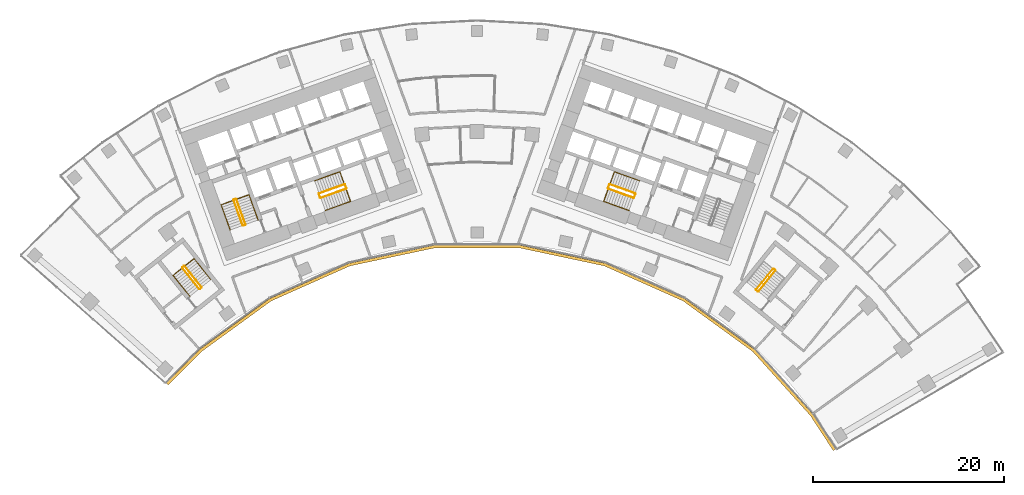
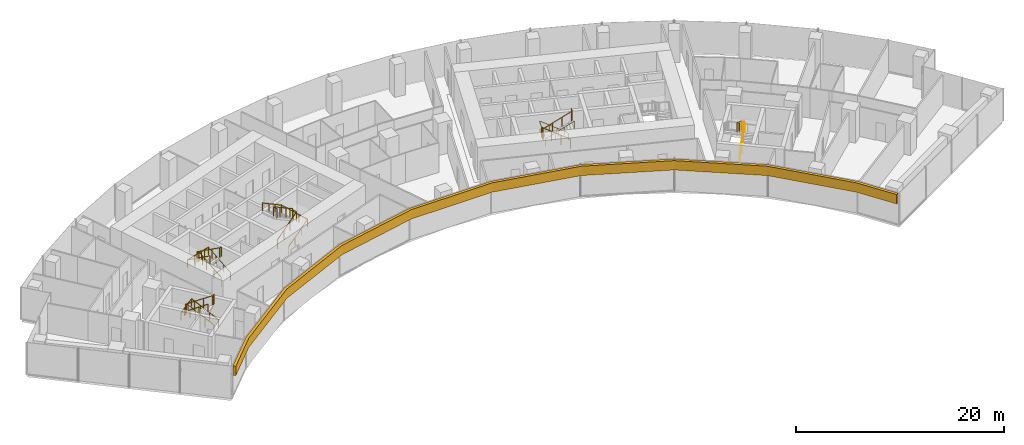
# One storey, part 20 of 21: 14 railings, 1 covering.
"""IFC4 building model written with IfcOpenShell, lengths in metres."""

from ifc_helpers import new_model, si_unit, direction, frame, origin, origin_2d, place, context, subcontext, project, spatial, polyline, circle, outline, extrude, material, layer, layer_set, type_object, element, save


model = new_model("IFC4")

# Units and contexts
model_context = context("Model", 3, precision=1e-05, world=origin(), true_north=direction((0.0, 1.0)))
body_context = subcontext(model_context, "Body", "Model", "MODEL_VIEW")
ifc_project = project(units=[si_unit("LENGTHUNIT", "METRE"), si_unit("AREAUNIT", "SQUARE_METRE"), si_unit("VOLUMEUNIT", "CUBIC_METRE"), si_unit("PLANEANGLEUNIT", "RADIAN"), si_unit("MASSUNIT", "GRAM", prefix="KILO")], contexts=[model_context])

# Site, building, storey
site_placement = place(None, origin())
site = spatial("IfcSite", under=ifc_project, at=site_placement, CompositionType="ELEMENT")
building_placement = place(site_placement, origin())
building = spatial("IfcBuilding", under=site, at=building_placement, Name="Stone Belt Terrace Tower", CompositionType="ELEMENT")
storey_placement = place(building_placement, frame((0.0, 0.0, 117.39990234375)))
storey = spatial("IfcBuildingStorey", under=building, at=storey_placement, Name="L28", CompositionType="ELEMENT", Elevation=117.39990234375)

# Railings
ifc_material_1 = material(Name="Structural steel C345", Category="steel")
railing_type_1 = type_object("IfcRailingType", Name="Stair guard 1100", PredefinedType="GUARDRAIL", material=ifc_material_1)
railing_1_placement = place(storey_placement, frame((-24.2119140625, 45.276123046875, 0.1728515625)))
element("IfcRailing", 1, at=railing_1_placement, inside=storey, type_object=railing_type_1, Name="L28 ST1A stair guard 1", PredefinedType="GUARDRAIL", context=body_context, shape_type="SweptSolid", body=[
    extrude(circle(Radius=0.02392578125, at=origin_2d()), frame((0.0, 0.0, 1.076171875), z_axis=(-0.288228637646, 0.800791768495, 0.525030280985), x_axis=(-0.940908529223, -0.338660803216, 0.0)), (0.0, 0.0, 1.0), 3.289794921875),
    extrude(circle(Radius=0.02392578125, at=origin_2d()), frame((-0.9482421875, 2.634521484375, 2.80322265625), z_axis=(-0.905209821074, 0.424964916, 0.0), x_axis=(-0.424964916, -0.905209821074, 0.0)), (0.0, 0.0, 1.0), 0.070556640625),
    extrude(circle(Radius=0.02392578125, at=origin_2d()), frame((-1.01220703125, 2.66455078125, 2.80322265625), z_axis=(-0.941105063269, -0.338114270461, 0.0), x_axis=(0.338114270461, -0.941105063269, 0.0)), (0.0, 0.0, 1.0), 0.199951171875),
    extrude(circle(Radius=0.02099609375, at=origin_2d()), origin(), (0.0, 0.0, 1.0), 1.052001953125),
    extrude(circle(Radius=0.02099609375, at=origin_2d()), frame((-0.316162109375, 0.878173828125, 0.57568359375)), (0.0, 0.0, 1.0), 1.052001953125),
    extrude(circle(Radius=0.02099609375, at=origin_2d()), frame((-0.632080078125, 1.75634765625, 1.151611328125)), (0.0, 0.0, 1.0), 1.052001953125),
    extrude(circle(Radius=0.02099609375, at=origin_2d()), frame((-0.9482421875, 2.634521484375, 1.727294921875)), (0.0, 0.0, 1.0), 1.052001953125),
    extrude(circle(Radius=0.02099609375, at=origin_2d()), frame((-1.01220703125, 2.66455078125, 1.727294921875)), (0.0, 0.0, 1.0), 1.052001953125),
    extrude(circle(Radius=0.02099609375, at=origin_2d()), frame((-1.200439453125, 2.596923828125, 1.727294921875)), (0.0, 0.0, 1.0), 1.052001953125),
])
railing_2_placement = place(storey_placement, frame((-25.4423828125, 47.80908203125, 2.07275390625)))
element("IfcRailing", 2, at=railing_2_placement, inside=storey, type_object=railing_type_1, Name="L28 ST1A stair guard 2", PredefinedType="GUARDRAIL", context=body_context, shape_type="SweptSolid", body=[
    extrude(circle(Radius=0.02392578125, at=origin_2d()), frame((0.0, 0.0, 1.076171875), z_axis=(0.288228637646, -0.800791768495, 0.525030280985), x_axis=(0.940908529223, 0.338660803216, 0.0)), (0.0, 0.0, 1.0), 3.289794921875),
    extrude(circle(Radius=0.02392578125, at=origin_2d()), frame((0.9482421875, -2.634521484375, 2.80322265625), z_axis=(0.903878284585, -0.427789722475, 0.0), x_axis=(0.427789722475, 0.903878284585, 0.0)), (0.0, 0.0, 1.0), 0.07080078125),
    extrude(circle(Radius=0.02392578125, at=origin_2d()), frame((1.01220703125, -2.664794921875, 2.80322265625), z_axis=(0.940575576748, 0.339584429008, 0.0), x_axis=(-0.339584429008, 0.940575576748, 0.0)), (0.0, 0.0, 1.0), 0.199951171875),
    extrude(circle(Radius=0.02099609375, at=origin_2d()), origin(), (0.0, 0.0, 1.0), 1.052001953125),
    extrude(circle(Radius=0.02099609375, at=origin_2d()), frame((0.316162109375, -0.878173828125, 0.57568359375)), (0.0, 0.0, 1.0), 1.052001953125),
    extrude(circle(Radius=0.02099609375, at=origin_2d()), frame((0.632080078125, -1.75634765625, 1.151611328125)), (0.0, 0.0, 1.0), 1.052001953125),
    extrude(circle(Radius=0.02099609375, at=origin_2d()), frame((0.9482421875, -2.634521484375, 1.727294921875)), (0.0, 0.0, 1.0), 1.052001953125),
    extrude(circle(Radius=0.02099609375, at=origin_2d()), frame((1.01220703125, -2.664794921875, 1.727294921875)), (0.0, 0.0, 1.0), 1.052001953125),
    extrude(circle(Radius=0.02099609375, at=origin_2d()), frame((1.2001953125, -2.596923828125, 1.727294921875)), (0.0, 0.0, 1.0), 1.052001953125),
])
railing_3_placement = place(storey_placement, frame((-16.33837890625, 48.056640625, 0.1728515625)))
element("IfcRailing", 3, at=railing_3_placement, inside=storey, type_object=railing_type_1, Name="L28 ST2A stair guard 1", PredefinedType="GUARDRAIL", context=body_context, shape_type="SweptSolid", body=[
    extrude(circle(Radius=0.02392578125, at=origin_2d()), frame((0.0, 0.0, 1.076171875), z_axis=(0.800808895155, 0.288160591223, 0.52504150989), x_axis=(-0.338583606334, 0.940936311087, 0.0)), (0.0, 0.0, 1.0), 3.289794921875),
    extrude(circle(Radius=0.02392578125, at=origin_2d()), frame((2.634521484375, 0.947998046875, 2.80322265625), z_axis=(0.427789722475, 0.903878284585, 0.0), x_axis=(-0.903878284585, 0.427789722475, 0.0)), (0.0, 0.0, 1.0), 0.07080078125),
    extrude(circle(Radius=0.02392578125, at=origin_2d()), frame((2.664794921875, 1.011962890625, 2.80322265625), z_axis=(-0.338654645739, 0.940910745459, 0.0), x_axis=(-0.940910745459, -0.338654645739, 0.0)), (0.0, 0.0, 1.0), 0.400146484375),
    extrude(circle(Radius=0.02099609375, at=origin_2d()), origin(), (0.0, 0.0, 1.0), 1.052001953125),
    extrude(circle(Radius=0.02099609375, at=origin_2d()), frame((0.878173828125, 0.31591796875, 0.57568359375)), (0.0, 0.0, 1.0), 1.052001953125),
    extrude(circle(Radius=0.02099609375, at=origin_2d()), frame((1.75634765625, 0.632080078125, 1.151611328125)), (0.0, 0.0, 1.0), 1.052001953125),
    extrude(circle(Radius=0.02099609375, at=origin_2d()), frame((2.634521484375, 0.947998046875, 1.727294921875)), (0.0, 0.0, 1.0), 1.052001953125),
    extrude(circle(Radius=0.02099609375, at=origin_2d()), frame((2.664794921875, 1.011962890625, 1.727294921875)), (0.0, 0.0, 1.0), 1.052001953125),
    extrude(circle(Radius=0.02099609375, at=origin_2d()), frame((2.529296875, 1.388427734375, 1.727294921875)), (0.0, 0.0, 1.0), 1.052001953125),
])
railing_4_placement = place(storey_placement, frame((-13.873046875, 49.47509765625, 2.07275390625)))
element("IfcRailing", 4, at=railing_4_placement, inside=storey, type_object=railing_type_1, Name="L28 ST2A stair guard 2", PredefinedType="GUARDRAIL", context=body_context, shape_type="SweptSolid", body=[
    extrude(circle(Radius=0.02392578125, at=origin_2d()), frame((0.0, 0.0, 1.076171875), z_axis=(-0.800808895155, -0.288160591223, 0.52504150989), x_axis=(0.338583606334, -0.940936311087, 0.0)), (0.0, 0.0, 1.0), 3.289794921875),
    extrude(circle(Radius=0.02392578125, at=origin_2d()), frame((-2.634521484375, -0.947998046875, 2.80322265625), z_axis=(-0.427789722475, -0.903878284585, 0.0), x_axis=(0.903878284585, -0.427789722475, 0.0)), (0.0, 0.0, 1.0), 0.07080078125),
    extrude(circle(Radius=0.02392578125, at=origin_2d()), frame((-2.664794921875, -1.011962890625, 2.80322265625), z_axis=(0.338654645739, -0.940910745459, 0.0), x_axis=(0.940910745459, 0.338654645739, 0.0)), (0.0, 0.0, 1.0), 0.400146484375),
    extrude(circle(Radius=0.02099609375, at=origin_2d()), origin(), (0.0, 0.0, 1.0), 1.052001953125),
    extrude(circle(Radius=0.02099609375, at=origin_2d()), frame((-0.878173828125, -0.31591796875, 0.57568359375)), (0.0, 0.0, 1.0), 1.052001953125),
    extrude(circle(Radius=0.02099609375, at=origin_2d()), frame((-1.75634765625, -0.632080078125, 1.151611328125)), (0.0, 0.0, 1.0), 1.052001953125),
    extrude(circle(Radius=0.02099609375, at=origin_2d()), frame((-2.634521484375, -0.947998046875, 1.727294921875)), (0.0, 0.0, 1.0), 1.052001953125),
    extrude(circle(Radius=0.02099609375, at=origin_2d()), frame((-2.664794921875, -1.011962890625, 1.727294921875)), (0.0, 0.0, 1.0), 1.052001953125),
    extrude(circle(Radius=0.02099609375, at=origin_2d()), frame((-2.529296875, -1.388427734375, 1.727294921875)), (0.0, 0.0, 1.0), 1.052001953125),
])
railing_5_placement = place(storey_placement, frame((16.507568359375, 48.527099609375, 0.1728515625)))
element("IfcRailing", 5, at=railing_5_placement, inside=storey, type_object=railing_type_1, Name="L28 ST2B stair guard 1", PredefinedType="GUARDRAIL", context=body_context, shape_type="SweptSolid", body=[
    extrude(circle(Radius=0.02392578125, at=origin_2d()), frame((0.0, 0.0, 1.076171875), z_axis=(-0.800808895155, 0.288160591223, 0.52504150989), x_axis=(-0.338583606334, -0.940936311087, 0.0)), (0.0, 0.0, 1.0), 3.289794921875),
    extrude(circle(Radius=0.02392578125, at=origin_2d()), frame((-2.634521484375, 0.947998046875, 2.80322265625), z_axis=(-0.905209821074, -0.424964916, 0.0), x_axis=(0.424964916, -0.905209821074, 0.0)), (0.0, 0.0, 1.0), 0.070556640625),
    extrude(circle(Radius=0.02392578125, at=origin_2d()), frame((-2.698486328125, 0.91796875, 2.80322265625), z_axis=(-0.338654645739, -0.940910745459, 0.0), x_axis=(0.940910745459, -0.338654645739, 0.0)), (0.0, 0.0, 1.0), 0.400146484375),
    extrude(circle(Radius=0.02099609375, at=origin_2d()), origin(), (0.0, 0.0, 1.0), 1.052001953125),
    extrude(circle(Radius=0.02099609375, at=origin_2d()), frame((-0.878173828125, 0.31591796875, 0.57568359375)), (0.0, 0.0, 1.0), 1.052001953125),
    extrude(circle(Radius=0.02099609375, at=origin_2d()), frame((-1.75634765625, 0.632080078125, 1.151611328125)), (0.0, 0.0, 1.0), 1.052001953125),
    extrude(circle(Radius=0.02099609375, at=origin_2d()), frame((-2.634521484375, 0.947998046875, 1.727294921875)), (0.0, 0.0, 1.0), 1.052001953125),
    extrude(circle(Radius=0.02099609375, at=origin_2d()), frame((-2.698486328125, 0.91796875, 1.727294921875)), (0.0, 0.0, 1.0), 1.052001953125),
    extrude(circle(Radius=0.02099609375, at=origin_2d()), frame((-2.833984375, 0.54150390625, 1.727294921875)), (0.0, 0.0, 1.0), 1.052001953125),
])
railing_6_placement = place(storey_placement, frame((13.703857421875, 49.004638671875, 2.07275390625)))
element("IfcRailing", 6, at=railing_6_placement, inside=storey, type_object=railing_type_1, Name="L28 ST2B stair guard 2", PredefinedType="GUARDRAIL", context=body_context, shape_type="SweptSolid", body=[
    extrude(circle(Radius=0.02392578125, at=origin_2d()), frame((0.0, 0.0, 1.076171875), z_axis=(0.800808895155, -0.288160591223, 0.52504150989), x_axis=(0.338583606334, 0.940936311087, 0.0)), (0.0, 0.0, 1.0), 3.289794921875),
    extrude(circle(Radius=0.02392578125, at=origin_2d()), frame((2.634521484375, -0.947998046875, 2.80322265625), z_axis=(0.905209821074, 0.424964916, 0.0), x_axis=(-0.424964916, 0.905209821074, 0.0)), (0.0, 0.0, 1.0), 0.070556640625),
    extrude(circle(Radius=0.02392578125, at=origin_2d()), frame((2.698486328125, -0.91796875, 2.80322265625), z_axis=(0.338654645739, 0.940910745459, 0.0), x_axis=(-0.940910745459, 0.338654645739, 0.0)), (0.0, 0.0, 1.0), 0.400146484375),
    extrude(circle(Radius=0.02099609375, at=origin_2d()), origin(), (0.0, 0.0, 1.0), 1.052001953125),
    extrude(circle(Radius=0.02099609375, at=origin_2d()), frame((0.878173828125, -0.31591796875, 0.57568359375)), (0.0, 0.0, 1.0), 1.052001953125),
    extrude(circle(Radius=0.02099609375, at=origin_2d()), frame((1.75634765625, -0.632080078125, 1.151611328125)), (0.0, 0.0, 1.0), 1.052001953125),
    extrude(circle(Radius=0.02099609375, at=origin_2d()), frame((2.634521484375, -0.947998046875, 1.727294921875)), (0.0, 0.0, 1.0), 1.052001953125),
    extrude(circle(Radius=0.02099609375, at=origin_2d()), frame((2.698486328125, -0.91796875, 1.727294921875)), (0.0, 0.0, 1.0), 1.052001953125),
    extrude(circle(Radius=0.02099609375, at=origin_2d()), frame((2.833984375, -0.54150390625, 1.727294921875)), (0.0, 0.0, 1.0), 1.052001953125),
])
railing_7_placement = place(storey_placement, frame((-28.814208984375, 38.734619140625, 0.1728515625)))
element("IfcRailing", 7, at=railing_7_placement, inside=storey, type_object=railing_type_1, Name="L28 ST3A stair guard 1", PredefinedType="GUARDRAIL", context=body_context, shape_type="SweptSolid", body=[
    extrude(circle(Radius=0.02392578125, at=origin_2d()), frame((0.0, 0.0, 1.076171875), z_axis=(-0.530306321799, 0.665665785969, 0.525037395288), x_axis=(-0.782143211408, -0.623098705543, 0.0)), (0.0, 0.0, 1.0), 3.289794921875),
    extrude(circle(Radius=0.02392578125, at=origin_2d()), frame((-1.74462890625, 2.18994140625, 2.80322265625), z_axis=(-0.993883734674, 0.110431526075, 0.0), x_axis=(-0.110431526075, -0.993883734674, 0.0)), (0.0, 0.0, 1.0), 0.07080078125),
    extrude(circle(Radius=0.02392578125, at=origin_2d()), frame((-1.81494140625, 2.19775390625, 2.80322265625), z_axis=(-0.782533463299, -0.622608527742, 0.0), x_axis=(0.622608527742, -0.782533463299, 0.0)), (0.0, 0.0, 1.0), 0.199951171875),
    extrude(circle(Radius=0.02099609375, at=origin_2d()), origin(), (0.0, 0.0, 1.0), 1.052001953125),
    extrude(circle(Radius=0.02099609375, at=origin_2d()), frame((-0.58154296875, 0.72998046875, 0.57568359375)), (0.0, 0.0, 1.0), 1.052001953125),
    extrude(circle(Radius=0.02099609375, at=origin_2d()), frame((-1.1630859375, 1.4599609375, 1.151611328125)), (0.0, 0.0, 1.0), 1.052001953125),
    extrude(circle(Radius=0.02099609375, at=origin_2d()), frame((-1.74462890625, 2.18994140625, 1.727294921875)), (0.0, 0.0, 1.0), 1.052001953125),
    extrude(circle(Radius=0.02099609375, at=origin_2d()), frame((-1.81494140625, 2.19775390625, 1.727294921875)), (0.0, 0.0, 1.0), 1.052001953125),
    extrude(circle(Radius=0.02099609375, at=origin_2d()), frame((-1.971435546875, 2.0732421875, 1.727294921875)), (0.0, 0.0, 1.0), 1.052001953125),
])
railing_8_placement = place(storey_placement, frame((-30.793701171875, 40.737548828125, 2.07275390625)))
element("IfcRailing", 8, at=railing_8_placement, inside=storey, type_object=railing_type_1, Name="L28 ST3A stair guard 2", PredefinedType="GUARDRAIL", context=body_context, shape_type="SweptSolid", body=[
    extrude(circle(Radius=0.02392578125, at=origin_2d()), frame((0.0, 0.0, 1.076171875), z_axis=(0.530359659125, -0.665639588968, 0.525016732659), x_axis=(0.782100716982, 0.62315204284, 0.0)), (0.0, 0.0, 1.0), 3.2900390625),
    extrude(circle(Radius=0.02392578125, at=origin_2d()), frame((1.744873046875, -2.18994140625, 2.80322265625), z_axis=(0.993499272973, -0.113838458361, 0.0), x_axis=(0.113838458361, 0.993499272973, 0.0)), (0.0, 0.0, 1.0), 0.07080078125),
    extrude(circle(Radius=0.02392578125, at=origin_2d()), frame((1.815185546875, -2.197998046875, 2.80322265625), z_axis=(0.781464082609, 0.623950228458, 0.0), x_axis=(-0.623950228458, 0.781464082609, 0.0)), (0.0, 0.0, 1.0), 0.199951171875),
    extrude(circle(Radius=0.02099609375, at=origin_2d()), origin(), (0.0, 0.0, 1.0), 1.052001953125),
    extrude(circle(Radius=0.02099609375, at=origin_2d()), frame((0.58154296875, -0.72998046875, 0.57568359375)), (0.0, 0.0, 1.0), 1.052001953125),
    extrude(circle(Radius=0.02099609375, at=origin_2d()), frame((1.163330078125, -1.4599609375, 1.151611328125)), (0.0, 0.0, 1.0), 1.052001953125),
    extrude(circle(Radius=0.02099609375, at=origin_2d()), frame((1.744873046875, -2.18994140625, 1.727294921875)), (0.0, 0.0, 1.0), 1.052001953125),
    extrude(circle(Radius=0.02099609375, at=origin_2d()), frame((1.815185546875, -2.197998046875, 1.727294921875)), (0.0, 0.0, 1.0), 1.052001953125),
    extrude(circle(Radius=0.02099609375, at=origin_2d()), frame((1.971435546875, -2.0732421875, 1.727294921875)), (0.0, 0.0, 1.0), 1.052001953125),
])
railing_9_placement = place(storey_placement, frame((29.39794921875, 38.281982421875, 0.1728515625)))
element("IfcRailing", 9, at=railing_9_placement, inside=storey, type_object=railing_type_1, Name="L28 ST3B stair guard 1", PredefinedType="GUARDRAIL", context=body_context, shape_type="SweptSolid", body=[
    extrude(circle(Radius=0.02392578125, at=origin_2d()), frame((0.0, 0.0, 1.076171875), z_axis=(0.536393061503, 0.660769759217, 0.525038864158), x_axis=(-0.776391310223, 0.630251166924, 0.0)), (0.0, 0.0, 1.0), 3.289794921875),
    extrude(circle(Radius=0.02392578125, at=origin_2d()), frame((1.7646484375, 2.173828125, 2.80322265625), z_axis=(-0.103251414163, 0.994655289773, 0.0), x_axis=(-0.994655289773, -0.103251414163, 0.0)), (0.0, 0.0, 1.0), 0.071044921875),
    extrude(circle(Radius=0.02392578125, at=origin_2d()), frame((1.75732421875, 2.244384765625, 2.80322265625), z_axis=(-0.776561986372, 0.630040856868, 0.0), x_axis=(-0.630040856868, -0.776561986372, 0.0)), (0.0, 0.0, 1.0), 0.199951171875),
    extrude(circle(Radius=0.02099609375, at=origin_2d()), origin(), (0.0, 0.0, 1.0), 1.052001953125),
    extrude(circle(Radius=0.02099609375, at=origin_2d()), frame((0.588134765625, 0.724609375, 0.57568359375)), (0.0, 0.0, 1.0), 1.052001953125),
    extrude(circle(Radius=0.02099609375, at=origin_2d()), frame((1.176513671875, 1.44921875, 1.151611328125)), (0.0, 0.0, 1.0), 1.052001953125),
    extrude(circle(Radius=0.02099609375, at=origin_2d()), frame((1.7646484375, 2.173828125, 1.727294921875)), (0.0, 0.0, 1.0), 1.052001953125),
    extrude(circle(Radius=0.02099609375, at=origin_2d()), frame((1.75732421875, 2.244384765625, 1.727294921875)), (0.0, 0.0, 1.0), 1.052001953125),
    extrude(circle(Radius=0.02099609375, at=origin_2d()), frame((1.60205078125, 2.370361328125, 1.727294921875)), (0.0, 0.0, 1.0), 1.052001953125),
])
railing_10_placement = place(storey_placement, frame((30.9296875, 40.64501953125, 2.07275390625)))
element("IfcRailing", 10, at=railing_10_placement, inside=storey, type_object=railing_type_1, Name="L28 ST3B stair guard 2", PredefinedType="GUARDRAIL", context=body_context, shape_type="SweptSolid", body=[
    extrude(circle(Radius=0.02392578125, at=origin_2d()), frame((0.0, 0.0, 1.076171875), z_axis=(-0.536366759382, -0.660811565066, 0.525013118792), x_axis=(0.776425942316, -0.630208502084, 0.0)), (0.0, 0.0, 1.0), 3.2900390625),
    extrude(circle(Radius=0.02392578125, at=origin_2d()), frame((-1.7646484375, -2.174072265625, 2.80322265625), z_axis=(0.103606084259, -0.994618408891, 0.0), x_axis=(0.994618408891, 0.103606084259, 0.0)), (0.0, 0.0, 1.0), 0.07080078125),
    extrude(circle(Radius=0.02392578125, at=origin_2d()), frame((-1.75732421875, -2.244384765625, 2.80322265625), z_axis=(0.776561986372, -0.630040856868, 0.0), x_axis=(0.630040856868, 0.776561986372, 0.0)), (0.0, 0.0, 1.0), 0.199951171875),
    extrude(circle(Radius=0.02099609375, at=origin_2d()), origin(), (0.0, 0.0, 1.0), 1.052001953125),
    extrude(circle(Radius=0.02099609375, at=origin_2d()), frame((-0.588134765625, -0.724609375, 0.57568359375)), (0.0, 0.0, 1.0), 1.052001953125),
    extrude(circle(Radius=0.02099609375, at=origin_2d()), frame((-1.176513671875, -1.449462890625, 1.151611328125)), (0.0, 0.0, 1.0), 1.052001953125),
    extrude(circle(Radius=0.02099609375, at=origin_2d()), frame((-1.7646484375, -2.174072265625, 1.727294921875)), (0.0, 0.0, 1.0), 1.052001953125),
    extrude(circle(Radius=0.02099609375, at=origin_2d()), frame((-1.75732421875, -2.244384765625, 1.727294921875)), (0.0, 0.0, 1.0), 1.052001953125),
    extrude(circle(Radius=0.02099609375, at=origin_2d()), frame((-1.60205078125, -2.370361328125, 1.727294921875)), (0.0, 0.0, 1.0), 1.052001953125),
])
railing_type_2 = type_object("IfcRailingType", Name="Stair handrail 900", PredefinedType="HANDRAIL", material=ifc_material_1)
railing_11_placement = place(storey_placement, frame((-22.894775390625, 45.750244140625, 0.1728515625)))
element("IfcRailing", 11, at=railing_11_placement, inside=storey, type_object=railing_type_2, Name="L28 ST1A stair handrail 1", PredefinedType="HANDRAIL", context=body_context, shape_type="SweptSolid", body=[
    extrude(circle(Radius=0.02392578125, at=origin_2d()), frame((0.0, 0.0, 0.8759765625), z_axis=(-0.288160591223, 0.800808895155, 0.52504150989), x_axis=(-0.940936311087, -0.338583606334, 0.0)), (0.0, 0.0, 1.0), 3.289794921875),
    extrude(circle(Radius=0.02392578125, at=origin_2d()), frame((-0.947998046875, 2.634521484375, 2.60302734375), z_axis=(-0.939464517435, -0.338106580597, 0.055591012205), x_axis=(0.338630230244, -0.940919532779, 0.0)), (0.0, 0.0, 1.0), 3.10498046875),
    extrude(circle(Radius=0.02392578125, at=origin_2d()), frame((-3.864990234375, 1.584716796875, 2.77587890625), z_axis=(0.288228637646, -0.800791768495, 0.525030280985), x_axis=(0.940908529223, 0.338660803216, 0.0)), (0.0, 0.0, 1.0), 3.289794921875),
    extrude(circle(Radius=0.02099609375, at=origin_2d()), origin(), (0.0, 0.0, 1.0), 0.851806640625),
    extrude(circle(Radius=0.02099609375, at=origin_2d()), frame((-0.31591796875, 0.878173828125, 0.57568359375)), (0.0, 0.0, 1.0), 0.851806640625),
    extrude(circle(Radius=0.02099609375, at=origin_2d()), frame((-0.632080078125, 1.75634765625, 1.151611328125)), (0.0, 0.0, 1.0), 0.851806640625),
    extrude(circle(Radius=0.02099609375, at=origin_2d()), frame((-0.947998046875, 2.634521484375, 1.727294921875)), (0.0, 0.0, 1.0), 0.851806640625),
    extrude(circle(Radius=0.02099609375, at=origin_2d()), frame((-1.92041015625, 2.28466796875, 1.784912109375)), (0.0, 0.0, 1.0), 0.851806640625),
    extrude(circle(Radius=0.02099609375, at=origin_2d()), frame((-2.892578125, 1.9345703125, 1.84228515625)), (0.0, 0.0, 1.0), 0.851806640625),
    extrude(circle(Radius=0.02099609375, at=origin_2d()), frame((-3.864990234375, 1.584716796875, 1.89990234375)), (0.0, 0.0, 1.0), 0.851806640625),
    extrude(circle(Radius=0.02099609375, at=origin_2d()), frame((-3.548828125, 0.70654296875, 2.4755859375)), (0.0, 0.0, 1.0), 0.851806640625),
    extrude(circle(Radius=0.02099609375, at=origin_2d()), frame((-3.23291015625, -0.171630859375, 3.051513671875)), (0.0, 0.0, 1.0), 0.851806640625),
    extrude(circle(Radius=0.02099609375, at=origin_2d()), frame((-2.916748046875, -1.0498046875, 3.627197265625)), (0.0, 0.0, 1.0), 0.851806640625),
])
railing_12_placement = place(storey_placement, frame((-15.8642578125, 46.7392578125, 0.1728515625)))
element("IfcRailing", 12, at=railing_12_placement, inside=storey, type_object=railing_type_2, Name="L28 ST2A stair handrail 1", PredefinedType="HANDRAIL", context=body_context, shape_type="SweptSolid", body=[
    extrude(circle(Radius=0.02392578125, at=origin_2d()), frame((0.0, 0.0, 0.8759765625), z_axis=(0.800791768495, 0.288228637646, 0.525030280985), x_axis=(-0.338660803216, 0.940908529223, 0.0)), (0.0, 0.0, 1.0), 3.289794921875),
    extrude(circle(Radius=0.02392578125, at=origin_2d()), frame((2.634521484375, 0.9482421875, 2.60302734375), z_axis=(-0.338160254016, 0.939637778147, 0.052234935458), x_axis=(-0.940922302781, -0.338622533404, 0.0)), (0.0, 0.0, 1.0), 3.304443359375),
    extrude(circle(Radius=0.02392578125, at=origin_2d()), frame((1.51708984375, 4.05322265625, 2.77587890625), z_axis=(-0.800791768495, -0.288228637646, 0.525030280985), x_axis=(0.338660803216, -0.940908529223, 0.0)), (0.0, 0.0, 1.0), 3.289794921875),
    extrude(circle(Radius=0.02099609375, at=origin_2d()), origin(), (0.0, 0.0, 1.0), 0.851806640625),
    extrude(circle(Radius=0.02099609375, at=origin_2d()), frame((0.878173828125, 0.316162109375, 0.57568359375)), (0.0, 0.0, 1.0), 0.851806640625),
    extrude(circle(Radius=0.02099609375, at=origin_2d()), frame((1.75634765625, 0.632080078125, 1.151611328125)), (0.0, 0.0, 1.0), 0.851806640625),
    extrude(circle(Radius=0.02099609375, at=origin_2d()), frame((2.634521484375, 0.9482421875, 1.727294921875)), (0.0, 0.0, 1.0), 0.851806640625),
    extrude(circle(Radius=0.02099609375, at=origin_2d()), frame((2.261962890625, 1.983154296875, 1.784912109375)), (0.0, 0.0, 1.0), 0.851806640625),
    extrude(circle(Radius=0.02099609375, at=origin_2d()), frame((1.8896484375, 3.018310546875, 1.84228515625)), (0.0, 0.0, 1.0), 0.851806640625),
    extrude(circle(Radius=0.02099609375, at=origin_2d()), frame((1.51708984375, 4.05322265625, 1.89990234375)), (0.0, 0.0, 1.0), 0.851806640625),
    extrude(circle(Radius=0.02099609375, at=origin_2d()), frame((0.638916015625, 3.737060546875, 2.4755859375)), (0.0, 0.0, 1.0), 0.851806640625),
    extrude(circle(Radius=0.02099609375, at=origin_2d()), frame((-0.2392578125, 3.421142578125, 3.051513671875)), (0.0, 0.0, 1.0), 0.851806640625),
    extrude(circle(Radius=0.02099609375, at=origin_2d()), frame((-1.117431640625, 3.10498046875, 3.627197265625)), (0.0, 0.0, 1.0), 0.851806640625),
])
railing_13_placement = place(storey_placement, frame((16.981689453125, 49.84423828125, 0.1728515625)))
element("IfcRailing", 13, at=railing_13_placement, inside=storey, type_object=railing_type_2, Name="L28 ST2B stair handrail 1", PredefinedType="HANDRAIL", context=body_context, shape_type="SweptSolid", body=[
    extrude(circle(Radius=0.02392578125, at=origin_2d()), frame((0.0, 0.0, 0.8759765625), z_axis=(-0.800791768495, 0.288228637646, 0.525030280985), x_axis=(-0.338660803216, -0.940908529223, 0.0)), (0.0, 0.0, 1.0), 3.289794921875),
    extrude(circle(Radius=0.02392578125, at=origin_2d()), frame((-2.634521484375, 0.9482421875, 2.60302734375), z_axis=(-0.338160254016, -0.939637778147, 0.052234935458), x_axis=(0.940922302781, -0.338622533404, 0.0)), (0.0, 0.0, 1.0), 3.304443359375),
    extrude(circle(Radius=0.02392578125, at=origin_2d()), frame((-3.751953125, -2.15673828125, 2.77587890625), z_axis=(0.800791768495, -0.288228637646, 0.525030280985), x_axis=(0.338660803216, 0.940908529223, 0.0)), (0.0, 0.0, 1.0), 3.289794921875),
    extrude(circle(Radius=0.02099609375, at=origin_2d()), origin(), (0.0, 0.0, 1.0), 0.851806640625),
    extrude(circle(Radius=0.02099609375, at=origin_2d()), frame((-0.878173828125, 0.316162109375, 0.57568359375)), (0.0, 0.0, 1.0), 0.851806640625),
    extrude(circle(Radius=0.02099609375, at=origin_2d()), frame((-1.75634765625, 0.632080078125, 1.151611328125)), (0.0, 0.0, 1.0), 0.851806640625),
    extrude(circle(Radius=0.02099609375, at=origin_2d()), frame((-2.634521484375, 0.9482421875, 1.727294921875)), (0.0, 0.0, 1.0), 0.851806640625),
    extrude(circle(Radius=0.02099609375, at=origin_2d()), frame((-3.007080078125, -0.086669921875, 1.784912109375)), (0.0, 0.0, 1.0), 0.851806640625),
    extrude(circle(Radius=0.02099609375, at=origin_2d()), frame((-3.37939453125, -1.121826171875, 1.84228515625)), (0.0, 0.0, 1.0), 0.851806640625),
    extrude(circle(Radius=0.02099609375, at=origin_2d()), frame((-3.751953125, -2.15673828125, 1.89990234375)), (0.0, 0.0, 1.0), 0.851806640625),
    extrude(circle(Radius=0.02099609375, at=origin_2d()), frame((-2.873779296875, -2.472900390625, 2.4755859375)), (0.0, 0.0, 1.0), 0.851806640625),
    extrude(circle(Radius=0.02099609375, at=origin_2d()), frame((-1.99560546875, -2.788818359375, 3.051513671875)), (0.0, 0.0, 1.0), 0.851806640625),
    extrude(circle(Radius=0.02099609375, at=origin_2d()), frame((-1.117431640625, -3.10498046875, 3.627197265625)), (0.0, 0.0, 1.0), 0.851806640625),
])
railing_14_placement = place(storey_placement, frame((-27.836669921875, 39.513427734375, 0.1728515625)))
element("IfcRailing", 14, at=railing_14_placement, inside=storey, type_object=railing_type_2, Name="L28 ST3A stair handrail 1", PredefinedType="HANDRAIL", context=body_context, shape_type="SweptSolid", body=[
    extrude(circle(Radius=0.02392578125, at=origin_2d()), frame((0.0, 0.0, 0.8759765625), z_axis=(-0.530306321799, 0.665665785969, 0.525037395288), x_axis=(-0.782143211408, -0.623098705543, 0.0)), (0.0, 0.0, 1.0), 3.289794921875),
    extrude(circle(Radius=0.02392578125, at=origin_2d()), frame((-1.74462890625, 2.18994140625, 2.60302734375), z_axis=(-0.780661215256, -0.62191806513, 0.061530376721), x_axis=(0.623098705543, -0.782143211408, 0.0)), (0.0, 0.0, 1.0), 2.80517578125),
    extrude(circle(Radius=0.02392578125, at=origin_2d()), frame((-3.9345703125, 0.4453125, 2.77587890625), z_axis=(0.530306321799, -0.665665785969, 0.525037395288), x_axis=(0.782143211408, 0.623098705543, 0.0)), (0.0, 0.0, 1.0), 3.289794921875),
    extrude(circle(Radius=0.02099609375, at=origin_2d()), origin(), (0.0, 0.0, 1.0), 0.851806640625),
    extrude(circle(Radius=0.02099609375, at=origin_2d()), frame((-0.58154296875, 0.72998046875, 0.57568359375)), (0.0, 0.0, 1.0), 0.851806640625),
    extrude(circle(Radius=0.02099609375, at=origin_2d()), frame((-1.1630859375, 1.4599609375, 1.151611328125)), (0.0, 0.0, 1.0), 0.851806640625),
    extrude(circle(Radius=0.02099609375, at=origin_2d()), frame((-1.74462890625, 2.18994140625, 1.727294921875)), (0.0, 0.0, 1.0), 0.851806640625),
    extrude(circle(Radius=0.02099609375, at=origin_2d()), frame((-2.474609375, 1.6083984375, 1.784912109375)), (0.0, 0.0, 1.0), 0.851806640625),
    extrude(circle(Radius=0.02099609375, at=origin_2d()), frame((-3.20458984375, 1.02685546875, 1.84228515625)), (0.0, 0.0, 1.0), 0.851806640625),
    extrude(circle(Radius=0.02099609375, at=origin_2d()), frame((-3.9345703125, 0.4453125, 1.89990234375)), (0.0, 0.0, 1.0), 0.851806640625),
    extrude(circle(Radius=0.02099609375, at=origin_2d()), frame((-3.35302734375, -0.28466796875, 2.4755859375)), (0.0, 0.0, 1.0), 0.851806640625),
    extrude(circle(Radius=0.02099609375, at=origin_2d()), frame((-2.771484375, -1.0146484375, 3.051513671875)), (0.0, 0.0, 1.0), 0.851806640625),
    extrude(circle(Radius=0.02099609375, at=origin_2d()), frame((-2.18994140625, -1.74462890625, 3.627197265625)), (0.0, 0.0, 1.0), 0.851806640625),
])

# Covering
ifc_material_2 = material(Name="Terracotta coloured glazed ceramic", Category="masonry")
ifc_layer = layer(ifc_material_2, 0.300048828125)
ifc_layer_set = layer_set([ifc_layer], Name="Terracotta spandrel band 300 x 1100")
covering_type = type_object("IfcCoveringType", Name="Terracotta spandrel band 300 x 1100", PredefinedType="CLADDING", material=ifc_layer_set)
covering_placement = place(storey_placement, frame((0.0, 0.0, 2.7001953125)))
element("IfcCovering", 15, at=covering_placement, inside=storey, type_object=covering_type, Name="BAND L28", PredefinedType="CLADDING", context=body_context, shape_type="SweptSolid", body=[
    extrude(outline(polyline([(-32.49560546875, 28.692626953125), (-29.00927734375, 32.212646484375), (-21.674560546875, 37.54150390625), (-13.395751953125, 41.2275390625), (-4.53125, 43.11181640625), (4.53125, 43.11181640625), (13.395751953125, 41.2275390625), (21.674560546875, 37.54150390625), (29.00634765625, 32.214599609375), (35.072998046875, 25.47705078125), (37.46875, 21.802001953125), (37.217529296875, 21.63818359375), (34.83447265625, 25.29345703125), (28.804443359375, 31.990478515625), (21.523681640625, 37.2802734375), (13.302490234375, 40.940673828125), (4.499755859375, 42.811767578125), (-4.499755859375, 42.811767578125), (-13.302490234375, 40.940673828125), (-21.523681640625, 37.2802734375), (-28.813232421875, 31.984130859375), (-32.282470703125, 28.481689453125), (-32.49560546875, 28.692626953125)])), origin(), (0.0, 0.0, 1.0), 1.099853515625),
])

save(model, "model.ifc")
